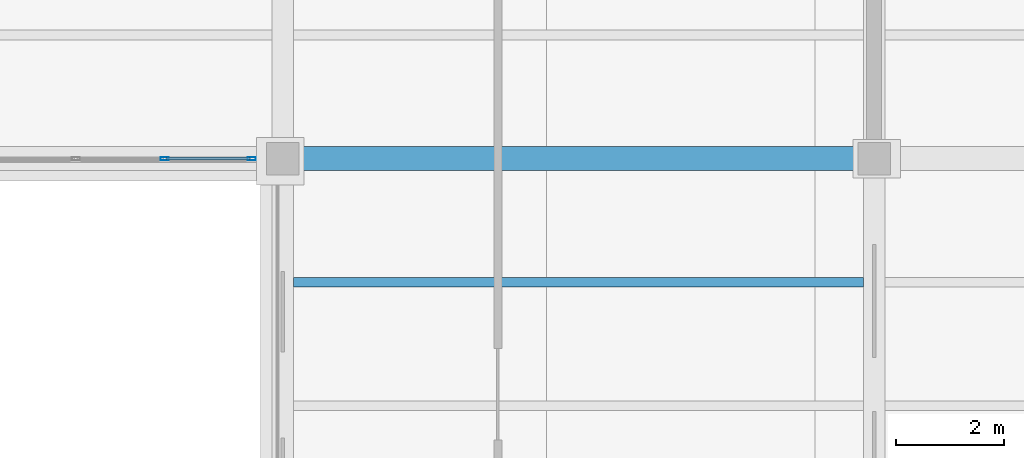
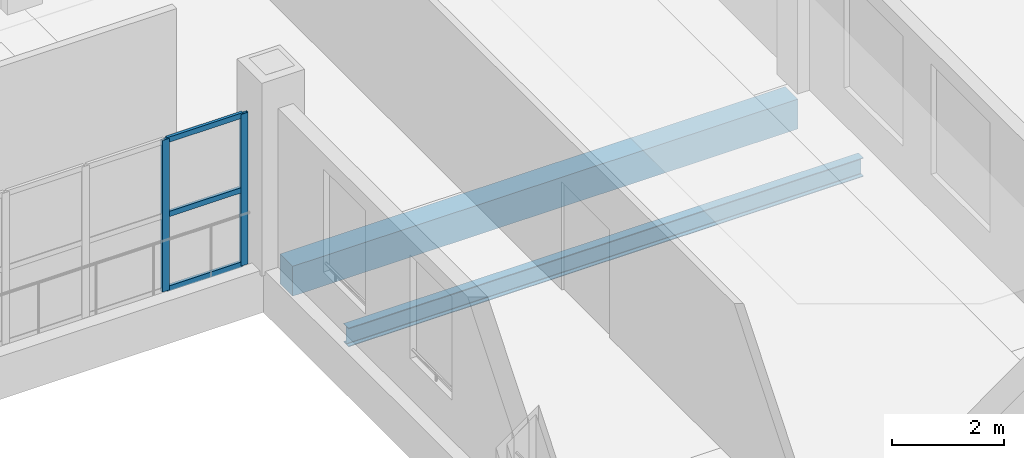
# One storey, part 71 of 120: 5 members, 2 beams, 1 element without a shape of its own.
"""IFC4 building model written with IfcOpenShell, lengths in metres."""

from ifc_helpers import new_model, si_unit, direction, frame, origin, origin_2d, place, context, subcontext, project, spatial, rectangle, hollow_rectangle, i_section, extrude, material, material_profile, profile_set, type_object, element, aggregate, save


model = new_model("IFC4")

# Units and contexts
model_context = context("Model", 3, precision=1e-05, world=origin(), true_north=direction((0.0, 1.0)))
body_context = subcontext(model_context, "Body", "Model", "MODEL_VIEW")
ifc_project = project(units=[si_unit("LENGTHUNIT", "METRE"), si_unit("AREAUNIT", "SQUARE_METRE"), si_unit("VOLUMEUNIT", "CUBIC_METRE"), si_unit("PLANEANGLEUNIT", "RADIAN"), si_unit("MASSUNIT", "GRAM", prefix="KILO")], contexts=[model_context])

# Site, building, storey
site_placement = place(None, origin())
site = spatial("IfcSite", under=ifc_project, at=site_placement, CompositionType="ELEMENT")
building_placement = place(site_placement, origin())
building = spatial("IfcBuilding", under=site, at=building_placement, Name="Caurita Quay Ferry Terminal", CompositionType="ELEMENT")
storey_placement = place(building_placement, frame((0.0, 0.0, 9.89990234375)))
storey = spatial("IfcBuildingStorey", under=building, at=storey_placement, Name="L02", CompositionType="ELEMENT", Elevation=9.89990234375)

# Beams
ifc_material_1 = material(Name="Structural steel ASTM A992 Gr. 50", Category="steel")
ifc_material_profile_1 = material_profile(ifc_material_1, i_section(OverallWidth=0.1787109375, OverallDepth=0.408935546875, WebThickness=0.0087890625, FlangeThickness=0.014404296875, FilletRadius=0.011474609375, at=origin_2d()), Name="W16X45")
ifc_profile_set_1 = profile_set([ifc_material_profile_1], Name="Structural steel ASTM A992 Gr. 50")
beam_type_1 = type_object("IfcBeamType", Name="BM-JS-W16A", PredefinedType="JOIST", material=ifc_profile_set_1)
beam_1_placement = place(storey_placement, frame((66.199951171875, 105.5, -0.42431640625), z_axis=(1.0, 0.0, 0.0), x_axis=(0.0, 1.0, 0.0)))
element("IfcBeam", 1, at=beam_1_placement, inside=storey, type_object=beam_type_1, Name="L02 Beam JS-V5-L02-048", PredefinedType="JOIST", context=body_context, shape_type="SweptSolid", body=[
    extrude(i_section(OverallWidth=0.1787109375, OverallDepth=0.408935546875, WebThickness=0.0087890625, FlangeThickness=0.014404296875, FilletRadius=0.011474609375, at=origin_2d()), origin(), (0.0, 0.0, 1.0), 10.60009765625),
])
ifc_material_2 = material(Name="Reinforced concrete C35/45", Category="concrete")
ifc_material_profile_2 = material_profile(ifc_material_2, rectangle(XDim=0.449951171875, YDim=0.64990234375, at=origin_2d()), Name="RC-BM-450X650")
ifc_profile_set_2 = profile_set([ifc_material_profile_2], Name="Reinforced concrete C35/45")
beam_type_2 = type_object("IfcBeamType", Name="BM-RC-4565", PredefinedType="BEAM", material=ifc_profile_set_2)
beam_2_placement = place(storey_placement, frame((66.297607421875, 107.800048828125, -0.544921875), z_axis=(1.0, 0.0, 0.0), x_axis=(0.0, 1.0, 0.0)))
element("IfcBeam", 2, at=beam_2_placement, inside=storey, type_object=beam_type_2, Name="L02 Beam BM-V5-L02-X-663-1078", PredefinedType="BEAM", context=body_context, shape_type="SweptSolid", body=[
    extrude(rectangle(XDim=0.449951171875, YDim=0.64990234375, at=origin_2d()), origin(), (0.0, 0.0, 1.0), 10.40478515625),
])

# Curtain wall, members
ifc_material_3 = material(Name="Laminated solar-control insulated glass", Category="glass")
curtain_wall_type = type_object("IfcCurtainWallType", Name="CW-SYS-24", PredefinedType="NOTDEFINED", material=ifc_material_3)
curtain_wall_placement = place(storey_placement, origin())
curtain_wall = element("IfcCurtainWall", 3, at=curtain_wall_placement, inside=storey, type_object=curtain_wall_type, Name="L02 Courtyard Cloister Storefront 171", PredefinedType="NOTDEFINED")
ifc_material_4 = material(Name="Anodized aluminium 6063-T6", Category="aluminium")
ifc_material_profile_3 = material_profile(ifc_material_4, hollow_rectangle(XDim=0.06005859375, YDim=0.14990234375, WallThickness=0.00341796875, at=origin_2d()), Name="ALU-MUL-60X150")
ifc_profile_set_3 = profile_set([ifc_material_profile_3], Name="Anodized aluminium 6063-T6")
member_type_1 = type_object("IfcMemberType", Name="CW-MUL-150", PredefinedType="MULLION", material=ifc_profile_set_3)
member_1_placement = place(storey_placement, frame((63.800048828125, 107.800048828125, 0.0), z_axis=(0.0, 0.0, 1.0), x_axis=(0.0, 1.0, 0.0)))
member_1 = element("IfcMember", 4, at=member_1_placement, type_object=member_type_1, Name="CW-CRT-171 Mullion 6", PredefinedType="MULLION", context=body_context, shape_type="SweptSolid", body=[
    extrude(hollow_rectangle(XDim=0.06005859375, YDim=0.14990234375, WallThickness=0.00341796875, at=origin_2d()), origin(), (0.0, 0.0, 1.0), 3.300048828125),
])
member_2_placement = place(storey_placement, frame((65.419921875, 107.800048828125, 0.0), z_axis=(0.0, 0.0, 1.0), x_axis=(0.0, 1.0, 0.0)))
member_2 = element("IfcMember", 5, at=member_2_placement, type_object=member_type_1, Name="CW-CRT-171 Mullion 7", PredefinedType="MULLION", context=body_context, shape_type="SweptSolid", body=[
    extrude(hollow_rectangle(XDim=0.06005859375, YDim=0.14990234375, WallThickness=0.00341796875, at=origin_2d()), origin(), (0.0, 0.0, 1.0), 3.300048828125),
])
ifc_material_profile_4 = material_profile(ifc_material_4, hollow_rectangle(XDim=0.06005859375, YDim=0.114990234375, WallThickness=0.00341796875, at=origin_2d()), Name="ALU-TRN-60X115")
ifc_profile_set_4 = profile_set([ifc_material_profile_4], Name="Anodized aluminium 6063-T6")
member_type_2 = type_object("IfcMemberType", Name="CW-TRN-115", PredefinedType="USERDEFINED", material=ifc_profile_set_4)
member_3_placement = place(storey_placement, frame((63.827880859375, 107.800048828125, 0.030029296875), z_axis=(1.0, 0.0, 0.0), x_axis=(0.0, 1.0, 0.0)))
member_3 = element("IfcMember", 6, at=member_3_placement, type_object=member_type_2, Name="CW-CRT-171 Transom 16", ObjectType="TRANSOM", PredefinedType="USERDEFINED", context=body_context, shape_type="SweptSolid", body=[
    extrude(hollow_rectangle(XDim=0.06005859375, YDim=0.114990234375, WallThickness=0.00341796875, at=origin_2d()), origin(), (0.0, 0.0, 1.0), 1.564208984375),
])
member_4_placement = place(storey_placement, frame((63.827880859375, 107.800048828125, 1.650146484375), z_axis=(1.0, 0.0, 0.0), x_axis=(0.0, 1.0, 0.0)))
member_4 = element("IfcMember", 7, at=member_4_placement, type_object=member_type_2, Name="CW-CRT-171 Transom 17", ObjectType="TRANSOM", PredefinedType="USERDEFINED", context=body_context, shape_type="SweptSolid", body=[
    extrude(hollow_rectangle(XDim=0.06005859375, YDim=0.114990234375, WallThickness=0.00341796875, at=origin_2d()), origin(), (0.0, 0.0, 1.0), 1.564208984375),
])
member_5_placement = place(storey_placement, frame((63.827880859375, 107.800048828125, 3.27001953125), z_axis=(1.0, 0.0, 0.0), x_axis=(0.0, 1.0, 0.0)))
member_5 = element("IfcMember", 8, at=member_5_placement, type_object=member_type_2, Name="CW-CRT-171 Transom 18", ObjectType="TRANSOM", PredefinedType="USERDEFINED", context=body_context, shape_type="SweptSolid", body=[
    extrude(hollow_rectangle(XDim=0.06005859375, YDim=0.114990234375, WallThickness=0.00341796875, at=origin_2d()), origin(), (0.0, 0.0, 1.0), 1.564208984375),
])
aggregate(curtain_wall, [member_1, member_2, member_3, member_4, member_5])

save(model, "model.ifc")
